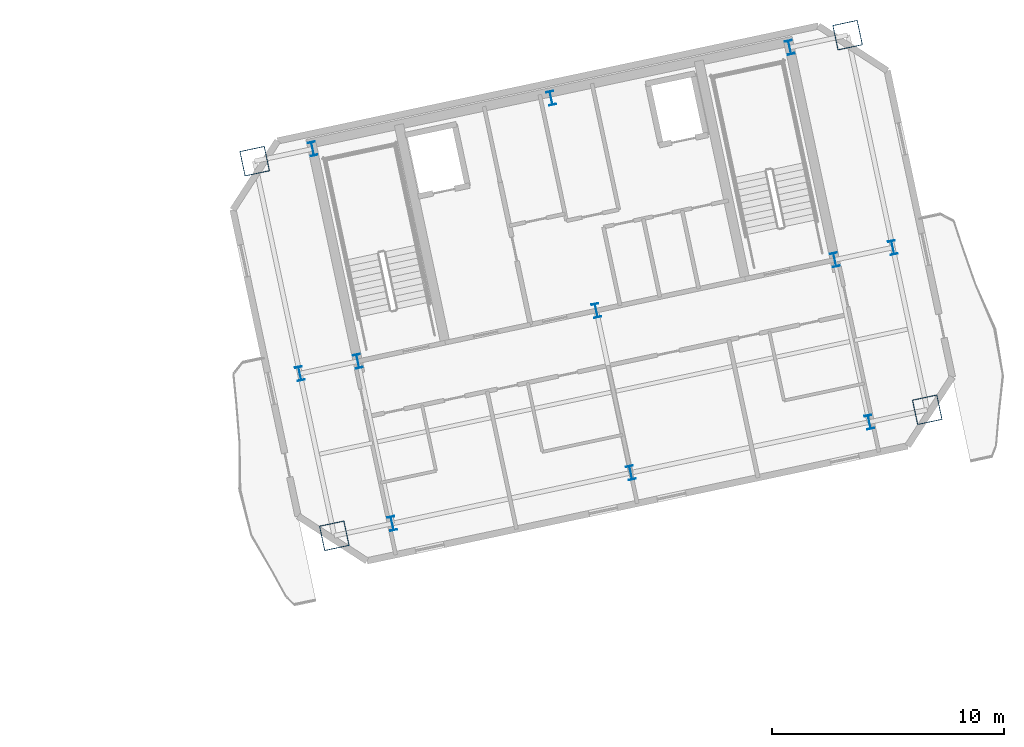
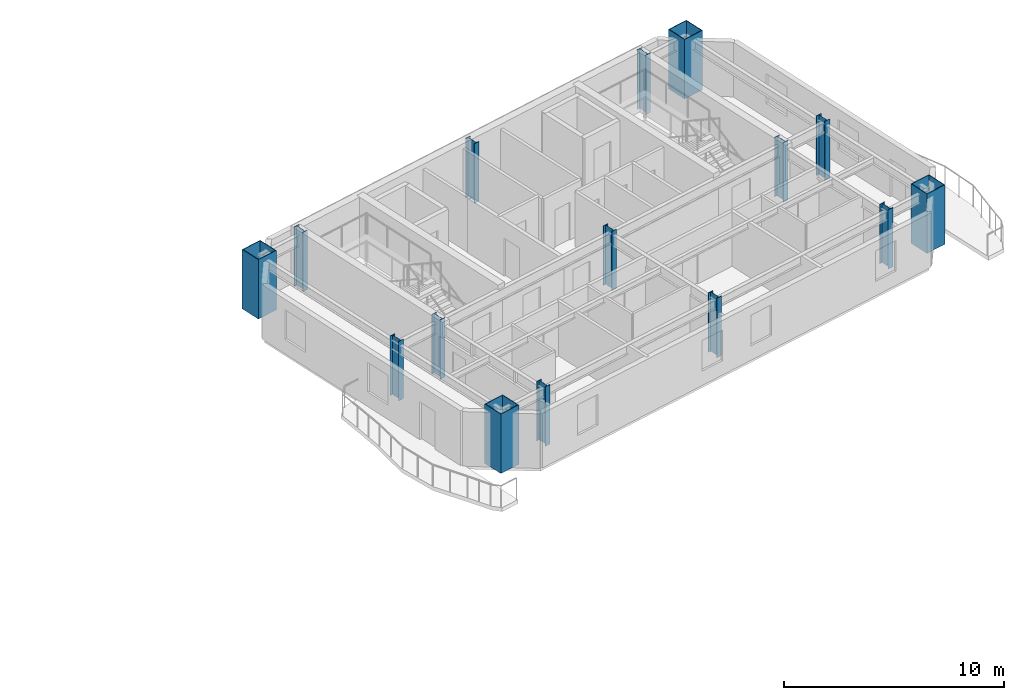
# One storey, part 2 of 13: 15 columns.
"""IFC4 building model written with IfcOpenShell, lengths in metres."""

from ifc_helpers import new_model, si_unit, direction, frame, origin, origin_2d, place, context, subcontext, project, spatial, hollow_rectangle, i_section, extrude, material, material_profile, profile_set, type_object, element, save


model = new_model("IFC4")

# Units and contexts
model_context = context("Model", 3, precision=1e-05, world=origin(), true_north=direction((0.0, 1.0)))
body_context = subcontext(model_context, "Body", "Model", "MODEL_VIEW")
ifc_project = project(units=[si_unit("LENGTHUNIT", "METRE"), si_unit("AREAUNIT", "SQUARE_METRE"), si_unit("VOLUMEUNIT", "CUBIC_METRE"), si_unit("PLANEANGLEUNIT", "RADIAN"), si_unit("MASSUNIT", "GRAM", prefix="KILO")], contexts=[model_context])

# Site, building, storey
site_placement = place(None, origin())
site = spatial("IfcSite", under=ifc_project, at=site_placement, CompositionType="ELEMENT")
building_placement = place(site_placement, origin())
building = spatial("IfcBuilding", under=site, at=building_placement, Name="Haevon Station Towers", CompositionType="ELEMENT")
storey_placement = place(building_placement, frame((0.0, 0.0, 222.0)))
storey = spatial("IfcBuildingStorey", under=building, at=storey_placement, Name="L61", CompositionType="ELEMENT", Elevation=222.0)

# Columns
ifc_material_1 = material(Name="Steel S460", Category="steel")
ifc_material_profile_1 = material_profile(ifc_material_1, hollow_rectangle(XDim=1.10009765625, YDim=1.10009765625, WallThickness=0.031982421875, at=origin_2d()), Name="BOX-1100x1100x32")
ifc_profile_set_1 = profile_set([ifc_material_profile_1], Name="Steel S460")
column_type_1 = type_object("IfcColumnType", Name="COL-MC5", PredefinedType="COLUMN", material=ifc_profile_set_1)
for number, where, z_axis, x_axis, name in (
    (1, (97.74267578125, 29.92822265625, 0.0), (0.0, 0.0, 1.0), (0.978147600734, 0.207911690818, 0.0), "COL-T2-L61-01-01"),
    (2, (94.314208984375, 46.057861328125, 0.0), (0.0, 0.0, 1.0), (0.978147600734, 0.207911690818, 0.0), "COL-T2-L61-01-03"),
    (3, (123.272216796875, 35.354736328125, 0.0), (0.0, 0.0, 1.0), (0.978147600734, 0.207911690818, 0.0), "COL-T2-L61-05-01"),
    (4, (119.84375, 51.484375, 0.0), (0.0, 0.0, 1.0), (0.978147600734, 0.207911690818, 0.0), "COL-T2-L61-05-03"),
):
    element("IfcColumn", number, at=place(storey_placement, frame(where, z_axis=z_axis, x_axis=x_axis)), inside=storey, type_object=column_type_1, Name=name, PredefinedType="COLUMN", context=body_context, shape_type="SweptSolid", body=[
        extrude(hollow_rectangle(XDim=1.10009765625, YDim=1.10009765625, WallThickness=0.031982421875, at=origin_2d()), origin(), (0.0, 0.0, 1.0), 3.300048828125),
    ])
ifc_material_2 = material(Name="Steel S355", Category="steel")
ifc_material_profile_2 = material_profile(ifc_material_2, i_section(OverallWidth=0.300048828125, OverallDepth=0.60009765625, WebThickness=0.013916015625, FlangeThickness=0.02490234375, at=origin_2d()), Name="H-600x300x14x25")
ifc_profile_set_2 = profile_set([ifc_material_profile_2], Name="Steel S355")
column_type_2 = type_object("IfcColumnType", Name="COL-TW4", PredefinedType="COLUMN", material=ifc_profile_set_2)
for number, where, z_axis, x_axis, name in (
    (5, (96.258056640625, 36.912353515625, 0.0), (0.0, 0.0, 1.0), (0.978147600734, 0.207911690818, 0.0), "COL-T2-L61-01-02"),
    (6, (100.23681640625, 30.45849609375, 0.0), (0.0, 0.0, 1.0), (0.978147600734, 0.207911690818, 0.0), "COL-T2-L61-02-01"),
    (7, (98.75244140625, 37.4423828125, 0.0), (0.0, 0.0, 1.0), (0.978147600734, 0.207911690818, 0.0), "COL-T2-L61-02-02"),
    (8, (96.808349609375, 46.588134765625, 0.0), (0.0, 0.0, 1.0), (0.978147600734, 0.207911690818, 0.0), "COL-T2-L61-02-03"),
    (9, (110.50732421875, 32.6416015625, 0.0), (0.0, 0.0, 1.0), (0.978147600734, 0.207911690818, 0.0), "COL-T2-L61-03-01"),
    (10, (109.02294921875, 39.62548828125, 0.0), (0.0, 0.0, 1.0), (0.978147600734, 0.207911690818, 0.0), "COL-T2-L61-03-02"),
    (11, (107.078857421875, 48.771240234375, 0.0), (0.0, 0.0, 1.0), (0.978147600734, 0.207911690818, 0.0), "COL-T2-L61-03-03"),
    (12, (120.77783203125, 34.824462890625, 0.0), (0.0, 0.0, 1.0), (0.978147600734, 0.207911690818, 0.0), "COL-T2-L61-04-01"),
    (13, (119.29345703125, 41.80859375, 0.0), (0.0, 0.0, 1.0), (0.978147600734, 0.207911690818, 0.0), "COL-T2-L61-04-02"),
    (14, (117.349365234375, 50.954345703125, 0.0), (0.0, 0.0, 1.0), (0.978147600734, 0.207911690818, 0.0), "COL-T2-L61-04-03"),
    (15, (121.787841796875, 42.338623046875, 0.0), (0.0, 0.0, 1.0), (0.978147600734, 0.207911690818, 0.0), "COL-T2-L61-05-02"),
):
    element("IfcColumn", number, at=place(storey_placement, frame(where, z_axis=z_axis, x_axis=x_axis)), inside=storey, type_object=column_type_2, Name=name, PredefinedType="COLUMN", context=body_context, shape_type="SweptSolid", body=[
        extrude(i_section(OverallWidth=0.300048828125, OverallDepth=0.60009765625, WebThickness=0.013916015625, FlangeThickness=0.02490234375, at=origin_2d()), origin(), (0.0, 0.0, 1.0), 3.300048828125),
    ])

save(model, "model.ifc")
